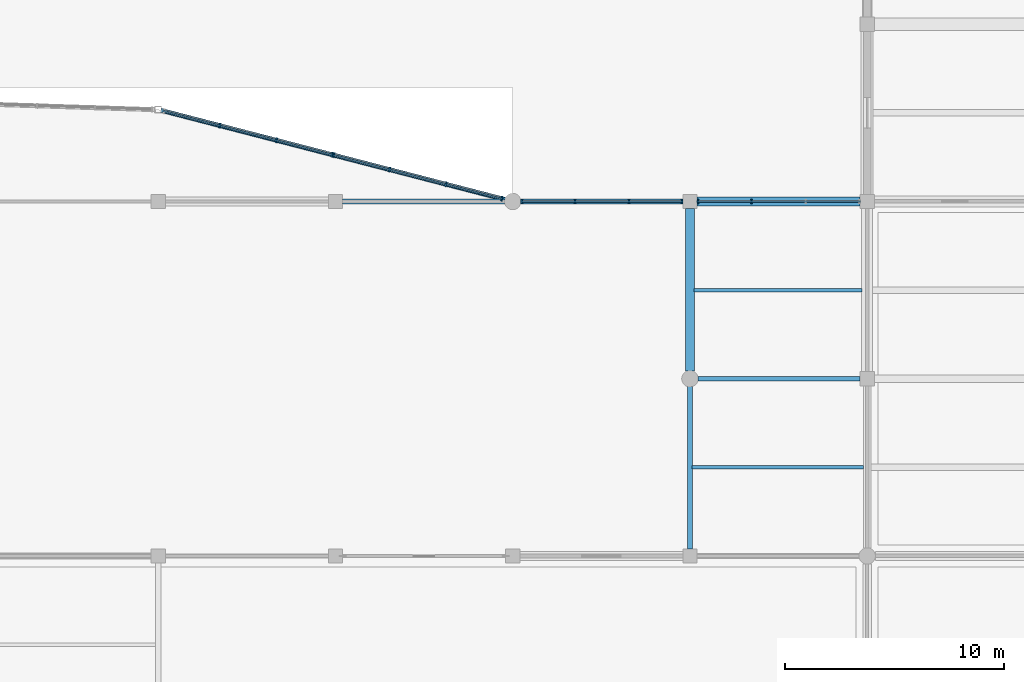
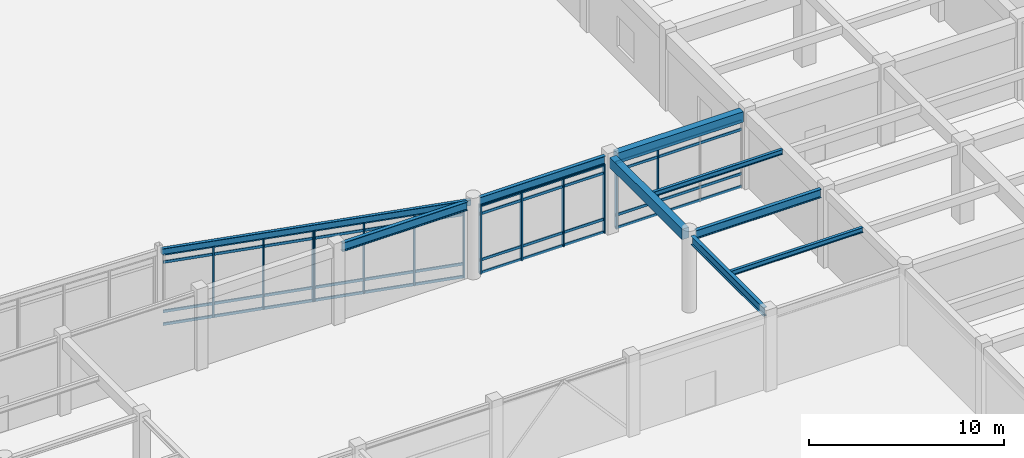
# One storey, part 30 of 99: 29 members, 9 beams, 4 elements without a shape of their own.
"""IFC4 building model written with IfcOpenShell, lengths in metres."""

from ifc_helpers import new_model, si_unit, direction, frame, origin, origin_2d, place, context, subcontext, project, spatial, rectangle, hollow_rectangle, i_section, extrude, material, layer, layer_set, material_profile, profile_set, type_object, element, aggregate, save


model = new_model("IFC4")

# Units and contexts
model_context = context("Model", 3, precision=1e-05, world=origin(), true_north=direction((0.0, 1.0)))
body_context = subcontext(model_context, "Body", "Model", "MODEL_VIEW")
ifc_project = project(units=[si_unit("LENGTHUNIT", "METRE"), si_unit("AREAUNIT", "SQUARE_METRE"), si_unit("VOLUMEUNIT", "CUBIC_METRE"), si_unit("PLANEANGLEUNIT", "RADIAN"), si_unit("MASSUNIT", "GRAM", prefix="KILO")], contexts=[model_context])

# Site, building, storey
site_placement = place(None, origin())
site = spatial("IfcSite", under=ifc_project, at=site_placement, CompositionType="ELEMENT")
building_placement = place(site_placement, origin())
building = spatial("IfcBuilding", under=site, at=building_placement, Name="Vaudrelin Polytechnic", CompositionType="ELEMENT")
storey_placement = place(building_placement, origin())
storey = spatial("IfcBuildingStorey", under=building, at=storey_placement, Name="L00", CompositionType="ELEMENT", Elevation=0.0)

# Beams
ifc_material_1 = material(Name="Steel CSA G40.21 350W", Category="steel")
ifc_material_profile_1 = material_profile(ifc_material_1, i_section(OverallWidth=0.208984375, OverallDepth=0.532958984375, WebThickness=0.01025390625, FlangeThickness=0.015625, FilletRadius=0.01904296875, at=origin_2d()), Name="W530x92")
ifc_profile_set_1 = profile_set([ifc_material_profile_1], Name="Steel CSA G40.21 350W")
beam_type_1 = type_object("IfcBeamType", Name="BM-BM-W530", PredefinedType="BEAM", material=ifc_profile_set_1)
for number, where, z_axis, x_axis, name in (
    (1, (113.77099609375, 48.60009765625, 4.553466796875), (1.0, 0.0, 0.0), (0.0, 1.0, 0.0), "L00 X-beam 15-7"),
    (2, (121.87109375, 40.5, 4.553466796875), (1.0, 0.0, 0.0), (0.0, 1.0, 0.0), "L00 X-beam 16-6"),
):
    element("IfcBeam", number, at=place(storey_placement, frame(where, z_axis=z_axis, x_axis=x_axis)), inside=storey, type_object=beam_type_1, Name=name, PredefinedType="BEAM", context=body_context, shape_type="SweptSolid", body=[
        extrude(i_section(OverallWidth=0.208984375, OverallDepth=0.532958984375, WebThickness=0.01025390625, FlangeThickness=0.015625, FilletRadius=0.01904296875, at=origin_2d()), origin(), (0.0, 0.0, 1.0), 7.407958984375),
    ])
ifc_material_profile_2 = material_profile(ifc_material_1, i_section(OverallWidth=0.214111328125, OverallDepth=0.549072265625, WebThickness=0.0146484375, FlangeThickness=0.023681640625, FilletRadius=0.01904296875, at=origin_2d()), Name="W530x138")
ifc_profile_set_2 = profile_set([ifc_material_profile_2], Name="Steel CSA G40.21 350W")
beam_type_2 = type_object("IfcBeamType", Name="BM-BM-W530H", PredefinedType="BEAM", material=ifc_profile_set_2)
beam_1_placement = place(storey_placement, frame((121.5, 32.7099609375, 4.54541015625), z_axis=(0.0, 1.0, 0.0), x_axis=(-1.0, 0.0, 0.0)))
element("IfcBeam", 3, at=beam_1_placement, inside=storey, type_object=beam_type_2, Name="L00 Y-beam 16-5", PredefinedType="BEAM", context=body_context, shape_type="SweptSolid", body=[
    extrude(i_section(OverallWidth=0.214111328125, OverallDepth=0.549072265625, WebThickness=0.0146484375, FlangeThickness=0.023681640625, FilletRadius=0.01904296875, at=origin_2d()), origin(), (0.0, 0.0, 1.0), 7.429931640625),
])
beam_2_placement = place(storey_placement, frame((105.62109375, 48.60009765625, 4.54541015625), z_axis=(1.0, 0.0, 0.0), x_axis=(0.0, 1.0, 0.0)))
element("IfcBeam", 4, at=beam_2_placement, inside=storey, type_object=beam_type_2, Name="L00 X-beam 14-7", PredefinedType="BEAM", context=body_context, shape_type="SweptSolid", body=[
    extrude(i_section(OverallWidth=0.214111328125, OverallDepth=0.549072265625, WebThickness=0.0146484375, FlangeThickness=0.023681640625, FilletRadius=0.01904296875, at=origin_2d()), origin(), (0.0, 0.0, 1.0), 7.407958984375),
])
ifc_material_profile_3 = material_profile(ifc_material_1, i_section(OverallWidth=0.1669921875, OverallDepth=0.31689453125, WebThickness=0.007568359375, FlangeThickness=0.01318359375, FilletRadius=0.013916015625, at=origin_2d()), Name="W310x52")
ifc_profile_set_3 = profile_set([ifc_material_profile_3], Name="Steel CSA G40.21 350W")
beam_type_3 = type_object("IfcBeamType", Name="BM-JS-W310", PredefinedType="JOIST", material=ifc_profile_set_3)
beam_3_placement = place(storey_placement, frame((121.60302734375, 36.449951171875, 4.66162109375), z_axis=(1.0, 0.0, 0.0), x_axis=(0.0, 1.0, 0.0)))
element("IfcBeam", 5, at=beam_3_placement, inside=storey, type_object=beam_type_3, Name="L00 floor joist 16-5", PredefinedType="JOIST", context=body_context, shape_type="SweptSolid", body=[
    extrude(i_section(OverallWidth=0.1669921875, OverallDepth=0.31689453125, WebThickness=0.007568359375, FlangeThickness=0.01318359375, FilletRadius=0.013916015625, at=origin_2d()), origin(), (0.0, 0.0, 1.0), 7.825927734375),
])
beam_4_placement = place(storey_placement, frame((121.696044921875, 44.550048828125, 4.66162109375), z_axis=(1.0, 0.0, 0.0), x_axis=(0.0, 1.0, 0.0)))
element("IfcBeam", 6, at=beam_4_placement, inside=storey, type_object=beam_type_3, Name="L00 floor joist 16-6", PredefinedType="JOIST", context=body_context, shape_type="SweptSolid", body=[
    extrude(i_section(OverallWidth=0.1669921875, OverallDepth=0.31689453125, WebThickness=0.007568359375, FlangeThickness=0.01318359375, FilletRadius=0.013916015625, at=origin_2d()), origin(), (0.0, 0.0, 1.0), 7.657958984375),
])
ifc_material_2 = material(Name="Steel CSA G40.21 350WT", Category="steel")
ifc_material_profile_4 = material_profile(ifc_material_2, hollow_rectangle(XDim=0.202880859375, YDim=0.35595703125, WallThickness=0.0126953125, InnerFilletRadius=0.0126953125, OuterFilletRadius=0.025390625, at=origin_2d()), Name="HSS356x203x12.7")
ifc_profile_set_4 = profile_set([ifc_material_profile_4], Name="Steel CSA G40.21 350WT")
beam_type_4 = type_object("IfcBeamType", Name="BM-SP-HSS35", PredefinedType="SPANDREL", material=ifc_profile_set_4)
beam_5_placement = place(storey_placement, frame((97.33544921875, 52.764892578125, 4.64208984375), z_axis=(0.96799462882, -0.250970911811, 0.0), x_axis=(0.250970911811, 0.96799462882, 0.0)))
element("IfcBeam", 7, at=beam_5_placement, inside=storey, type_object=beam_type_4, Name="Sculptural edge beam L00 CT_OR1_B3", PredefinedType="SPANDREL", context=body_context, shape_type="SweptSolid", body=[
    extrude(hollow_rectangle(XDim=0.202880859375, YDim=0.35595703125, WallThickness=0.0126953125, InnerFilletRadius=0.0126953125, OuterFilletRadius=0.025390625, at=origin_2d()), origin(), (0.0, 0.0, 1.0), 16.45556640625),
])
ifc_material_3 = material(Name="Concrete 40 MPa", Category="concrete")
ifc_material_profile_5 = material_profile(ifc_material_3, rectangle(XDim=0.39990234375, YDim=0.64990234375, at=origin_2d()), Name="RC400x650")
ifc_profile_set_5 = profile_set([ifc_material_profile_5], Name="Concrete 40 MPa")
beam_type_5 = type_object("IfcBeamType", Name="BM-SP-RC4065", PredefinedType="SPANDREL", material=ifc_profile_set_5)
beam_6_placement = place(storey_placement, frame((121.5, 40.860107421875, 4.4951171875), z_axis=(0.0, 1.0, 0.0), x_axis=(-1.0, 0.0, 0.0)))
element("IfcBeam", 8, at=beam_6_placement, inside=storey, type_object=beam_type_5, Name="L00 Y-beam 16-6", PredefinedType="SPANDREL", context=body_context, shape_type="SweptSolid", body=[
    extrude(rectangle(XDim=0.39990234375, YDim=0.64990234375, at=origin_2d()), origin(), (0.0, 0.0, 1.0), 7.429931640625),
])
beam_7_placement = place(storey_placement, frame((121.821044921875, 48.60009765625, 4.4951171875), z_axis=(1.0, 0.0, 0.0), x_axis=(0.0, 1.0, 0.0)))
element("IfcBeam", 9, at=beam_7_placement, inside=storey, type_object=beam_type_5, Name="L00 X-beam 16-7", PredefinedType="SPANDREL", context=body_context, shape_type="SweptSolid", body=[
    extrude(rectangle(XDim=0.39990234375, YDim=0.64990234375, at=origin_2d()), origin(), (0.0, 0.0, 1.0), 7.4580078125),
])

# Curtain wall, members
ifc_material_4 = material(Name="Thermally broken anodised aluminium AA 6063-T6 and low-e triple glazing", Category="aluminium")
ifc_layer = layer(ifc_material_4, 0.199951171875)
ifc_layer_set = layer_set([ifc_layer], Name="Thermally broken anodised aluminium AA 6063-T6 and low-e triple glazing")
curtain_wall_type = type_object("IfcCurtainWallType", Name="CW-CW-WG", PredefinedType="USERDEFINED", material=ifc_layer_set)
curtain_wall_1_placement = place(storey_placement, origin())
curtain_wall_1 = element("IfcCurtainWall", 10, at=curtain_wall_1_placement, inside=storey, type_object=curtain_wall_type, Name="Curtain wall L00 CT_S_09", ObjectType="CURTAIN WALL", PredefinedType="USERDEFINED")
ifc_material_5 = material(Name="Anodised aluminium AA 6063-T6", Category="aluminium")
ifc_material_profile_6 = material_profile(ifc_material_5, rectangle(XDim=0.074951171875, YDim=0.219970703125, at=origin_2d()), Name="CWM-75x220")
ifc_profile_set_6 = profile_set([ifc_material_profile_6], Name="Anodised aluminium AA 6063-T6")
member_type_1 = type_object("IfcMemberType", Name="MEM-CWM-220", PredefinedType="MULLION", material=ifc_profile_set_6)
member_1_placement = place(storey_placement, frame((113.81298828125, 48.60009765625, 0.0), z_axis=(0.0, 0.0, 1.0), x_axis=(1.0, 0.0, 0.0)))
member_1 = element("IfcMember", 11, at=member_1_placement, type_object=member_type_1, Name="CT_S_09 mullion 1", PredefinedType="MULLION", context=body_context, shape_type="SweptSolid", body=[
    extrude(rectangle(XDim=0.074951171875, YDim=0.219970703125, at=origin_2d()), origin(), (0.0, 0.0, 1.0), 4.2890625),
])
member_2_placement = place(storey_placement, frame((116.240966796875, 48.60009765625, 0.0), z_axis=(0.0, 0.0, 1.0), x_axis=(1.0, 0.0, 0.0)))
member_2 = element("IfcMember", 12, at=member_2_placement, type_object=member_type_1, Name="CT_S_09 mullion 2", PredefinedType="MULLION", context=body_context, shape_type="SweptSolid", body=[
    extrude(rectangle(XDim=0.074951171875, YDim=0.219970703125, at=origin_2d()), origin(), (0.0, 0.0, 1.0), 4.2890625),
])
member_3_placement = place(storey_placement, frame((118.708984375, 48.60009765625, 0.0), z_axis=(0.0, 0.0, 1.0), x_axis=(1.0, 0.0, 0.0)))
member_3 = element("IfcMember", 13, at=member_3_placement, type_object=member_type_1, Name="CT_S_09 mullion 3", PredefinedType="MULLION", context=body_context, shape_type="SweptSolid", body=[
    extrude(rectangle(XDim=0.074951171875, YDim=0.219970703125, at=origin_2d()), origin(), (0.0, 0.0, 1.0), 4.2890625),
])
member_4_placement = place(storey_placement, frame((121.136962890625, 48.60009765625, 0.0), z_axis=(0.0, 0.0, 1.0), x_axis=(1.0, 0.0, 0.0)))
member_4 = element("IfcMember", 14, at=member_4_placement, type_object=member_type_1, Name="CT_S_09 mullion 4", PredefinedType="MULLION", context=body_context, shape_type="SweptSolid", body=[
    extrude(rectangle(XDim=0.074951171875, YDim=0.219970703125, at=origin_2d()), origin(), (0.0, 0.0, 1.0), 4.2890625),
])

curtain_wall_2_placement = place(storey_placement, origin())
curtain_wall_2 = element("IfcCurtainWall", 15, at=curtain_wall_2_placement, inside=storey, type_object=curtain_wall_type, Name="Curtain wall L00 CT_S_10", ObjectType="CURTAIN WALL", PredefinedType="USERDEFINED")
member_5_placement = place(storey_placement, frame((121.863037109375, 48.60009765625, 0.0), z_axis=(0.0, 0.0, 1.0), x_axis=(1.0, 0.0, 0.0)))
member_5 = element("IfcMember", 16, at=member_5_placement, type_object=member_type_1, Name="CT_S_10 mullion 1", PredefinedType="MULLION", context=body_context, shape_type="SweptSolid", body=[
    extrude(rectangle(XDim=0.074951171875, YDim=0.219970703125, at=origin_2d()), origin(), (0.0, 0.0, 1.0), 4.172119140625),
])
member_6_placement = place(storey_placement, frame((124.3076171875, 48.60009765625, 0.0), z_axis=(0.0, 0.0, 1.0), x_axis=(1.0, 0.0, 0.0)))
member_6 = element("IfcMember", 17, at=member_6_placement, type_object=member_type_1, Name="CT_S_10 mullion 2", PredefinedType="MULLION", context=body_context, shape_type="SweptSolid", body=[
    extrude(rectangle(XDim=0.074951171875, YDim=0.219970703125, at=origin_2d()), origin(), (0.0, 0.0, 1.0), 4.172119140625),
])

curtain_wall_3_placement = place(storey_placement, origin())
curtain_wall_3 = element("IfcCurtainWall", 18, at=curtain_wall_3_placement, inside=storey, type_object=curtain_wall_type, Name="Curtain wall L00 CT_OR1_3_0", ObjectType="CURTAIN WALL", PredefinedType="USERDEFINED")
member_7_placement = place(storey_placement, frame((100.019287109375, 52.069091796875, 0.0), z_axis=(0.0, 0.0, 1.0), x_axis=(0.967999032288, -0.250953927026, 0.0)))
member_7 = element("IfcMember", 19, at=member_7_placement, type_object=member_type_1, Name="CT_OR1_3_0 mullion 2", PredefinedType="MULLION", context=body_context, shape_type="SweptSolid", body=[
    extrude(rectangle(XDim=0.074951171875, YDim=0.219970703125, at=origin_2d()), origin(), (0.0, 0.0, 1.0), 4.489990234375),
])
member_8_placement = place(storey_placement, frame((102.60400390625, 51.39892578125, 0.0), z_axis=(0.0, 0.0, 1.0), x_axis=(0.967999032288, -0.250953927026, 0.0)))
member_8 = element("IfcMember", 20, at=member_8_placement, type_object=member_type_1, Name="CT_OR1_3_0 mullion 3", PredefinedType="MULLION", context=body_context, shape_type="SweptSolid", body=[
    extrude(rectangle(XDim=0.074951171875, YDim=0.219970703125, at=origin_2d()), origin(), (0.0, 0.0, 1.0), 4.489990234375),
])
member_9_placement = place(storey_placement, frame((105.14990234375, 50.739013671875, 0.0), z_axis=(0.0, 0.0, 1.0), x_axis=(0.967999032288, -0.250953927026, 0.0)))
member_9 = element("IfcMember", 21, at=member_9_placement, type_object=member_type_1, Name="CT_OR1_3_0 mullion 4", PredefinedType="MULLION", context=body_context, shape_type="SweptSolid", body=[
    extrude(rectangle(XDim=0.074951171875, YDim=0.219970703125, at=origin_2d()), origin(), (0.0, 0.0, 1.0), 4.489990234375),
])

curtain_wall_4_placement = place(storey_placement, origin())
curtain_wall_4 = element("IfcCurtainWall", 22, at=curtain_wall_4_placement, inside=storey, type_object=curtain_wall_type, Name="Curtain wall L00 CT_OR1_3_1", ObjectType="CURTAIN WALL", PredefinedType="USERDEFINED")
member_10_placement = place(storey_placement, frame((105.227294921875, 50.718994140625, 0.0), z_axis=(0.0, 0.0, 1.0), x_axis=(0.967996785844, -0.250962592023, 0.0)))
member_10 = element("IfcMember", 23, at=member_10_placement, type_object=member_type_1, Name="CT_OR1_3_1 mullion 1", PredefinedType="MULLION", context=body_context, shape_type="SweptSolid", body=[
    extrude(rectangle(XDim=0.074951171875, YDim=0.219970703125, at=origin_2d()), origin(), (0.0, 0.0, 1.0), 4.489990234375),
])
member_11_placement = place(storey_placement, frame((107.7734375, 50.058837890625, 0.0), z_axis=(0.0, 0.0, 1.0), x_axis=(0.967996785844, -0.250962592023, 0.0)))
member_11 = element("IfcMember", 24, at=member_11_placement, type_object=member_type_1, Name="CT_OR1_3_1 mullion 2", PredefinedType="MULLION", context=body_context, shape_type="SweptSolid", body=[
    extrude(rectangle(XDim=0.074951171875, YDim=0.219970703125, at=origin_2d()), origin(), (0.0, 0.0, 1.0), 4.489990234375),
])
member_12_placement = place(storey_placement, frame((110.35791015625, 49.388671875, 0.0), z_axis=(0.0, 0.0, 1.0), x_axis=(0.967996785844, -0.250962592023, 0.0)))
member_12 = element("IfcMember", 25, at=member_12_placement, type_object=member_type_1, Name="CT_OR1_3_1 mullion 3", PredefinedType="MULLION", context=body_context, shape_type="SweptSolid", body=[
    extrude(rectangle(XDim=0.074951171875, YDim=0.219970703125, at=origin_2d()), origin(), (0.0, 0.0, 1.0), 4.489990234375),
])
member_13_placement = place(storey_placement, frame((112.904052734375, 48.728515625, 0.0), z_axis=(0.0, 0.0, 1.0), x_axis=(0.967996785844, -0.250962592023, 0.0)))
member_13 = element("IfcMember", 26, at=member_13_placement, type_object=member_type_1, Name="CT_OR1_3_1 mullion 4", PredefinedType="MULLION", context=body_context, shape_type="SweptSolid", body=[
    extrude(rectangle(XDim=0.074951171875, YDim=0.219970703125, at=origin_2d()), origin(), (0.0, 0.0, 1.0), 4.489990234375),
])

# Member
ifc_material_profile_7 = material_profile(ifc_material_5, rectangle(XDim=0.074951171875, YDim=0.1650390625, at=origin_2d()), Name="CWT-75x165")
ifc_profile_set_7 = profile_set([ifc_material_profile_7], Name="Anodised aluminium AA 6063-T6")
member_type_2 = type_object("IfcMemberType", Name="MEM-CWT-165", PredefinedType="USERDEFINED", material=ifc_profile_set_7)
member_14_placement = place(storey_placement, frame((113.77294921875, 48.60009765625, 0.050048828125), z_axis=(1.0, 0.0, 0.0), x_axis=(0.0, 1.0, 0.0)))
member_14 = element("IfcMember", 27, at=member_14_placement, type_object=member_type_2, Name="CT_S_09 transom 1", ObjectType="TRANSOM", PredefinedType="USERDEFINED", context=body_context, shape_type="SweptSolid", body=[
    extrude(rectangle(XDim=0.074951171875, YDim=0.1650390625, at=origin_2d()), origin(), (0.0, 0.0, 1.0), 7.404052734375),
])

member_15_placement = place(storey_placement, frame((113.77294921875, 48.60009765625, 0.85009765625), z_axis=(1.0, 0.0, 0.0), x_axis=(0.0, 1.0, 0.0)))
member_15 = element("IfcMember", 28, at=member_15_placement, type_object=member_type_2, Name="CT_S_09 transom 2", ObjectType="TRANSOM", PredefinedType="USERDEFINED", context=body_context, shape_type="SweptSolid", body=[
    extrude(rectangle(XDim=0.074951171875, YDim=0.1650390625, at=origin_2d()), origin(), (0.0, 0.0, 1.0), 7.404052734375),
])

member_16_placement = place(storey_placement, frame((113.77294921875, 48.60009765625, 3.739013671875), z_axis=(1.0, 0.0, 0.0), x_axis=(0.0, 1.0, 0.0)))
member_16 = element("IfcMember", 29, at=member_16_placement, type_object=member_type_2, Name="CT_S_09 transom 3", ObjectType="TRANSOM", PredefinedType="USERDEFINED", context=body_context, shape_type="SweptSolid", body=[
    extrude(rectangle(XDim=0.074951171875, YDim=0.1650390625, at=origin_2d()), origin(), (0.0, 0.0, 1.0), 7.404052734375),
])

member_17_placement = place(storey_placement, frame((113.77294921875, 48.60009765625, 4.239013671875), z_axis=(1.0, 0.0, 0.0), x_axis=(0.0, 1.0, 0.0)))
member_17 = element("IfcMember", 30, at=member_17_placement, type_object=member_type_2, Name="CT_S_09 transom 4", ObjectType="TRANSOM", PredefinedType="USERDEFINED", context=body_context, shape_type="SweptSolid", body=[
    extrude(rectangle(XDim=0.074951171875, YDim=0.1650390625, at=origin_2d()), origin(), (0.0, 0.0, 1.0), 7.404052734375),
])

aggregate(curtain_wall_1, [member_1, member_2, member_3, member_4, member_14, member_15, member_16, member_17])

member_18_placement = place(storey_placement, frame((121.822998046875, 48.60009765625, 0.050048828125), z_axis=(1.0, 0.0, 0.0), x_axis=(0.0, 1.0, 0.0)))
member_18 = element("IfcMember", 31, at=member_18_placement, type_object=member_type_2, Name="CT_S_10 transom 1", ObjectType="TRANSOM", PredefinedType="USERDEFINED", context=body_context, shape_type="SweptSolid", body=[
    extrude(rectangle(XDim=0.074951171875, YDim=0.1650390625, at=origin_2d()), origin(), (0.0, 0.0, 1.0), 7.4541015625),
])

member_19_placement = place(storey_placement, frame((121.822998046875, 48.60009765625, 0.85009765625), z_axis=(1.0, 0.0, 0.0), x_axis=(0.0, 1.0, 0.0)))
member_19 = element("IfcMember", 32, at=member_19_placement, type_object=member_type_2, Name="CT_S_10 transom 2", ObjectType="TRANSOM", PredefinedType="USERDEFINED", context=body_context, shape_type="SweptSolid", body=[
    extrude(rectangle(XDim=0.074951171875, YDim=0.1650390625, at=origin_2d()), origin(), (0.0, 0.0, 1.0), 7.4541015625),
])

member_20_placement = place(storey_placement, frame((121.822998046875, 48.60009765625, 3.6220703125), z_axis=(1.0, 0.0, 0.0), x_axis=(0.0, 1.0, 0.0)))
member_20 = element("IfcMember", 33, at=member_20_placement, type_object=member_type_2, Name="CT_S_10 transom 3", ObjectType="TRANSOM", PredefinedType="USERDEFINED", context=body_context, shape_type="SweptSolid", body=[
    extrude(rectangle(XDim=0.074951171875, YDim=0.1650390625, at=origin_2d()), origin(), (0.0, 0.0, 1.0), 7.4541015625),
])

member_21_placement = place(storey_placement, frame((121.822998046875, 48.60009765625, 4.1220703125), z_axis=(1.0, 0.0, 0.0), x_axis=(0.0, 1.0, 0.0)))
member_21 = element("IfcMember", 34, at=member_21_placement, type_object=member_type_2, Name="CT_S_10 transom 4", ObjectType="TRANSOM", PredefinedType="USERDEFINED", context=body_context, shape_type="SweptSolid", body=[
    extrude(rectangle(XDim=0.074951171875, YDim=0.1650390625, at=origin_2d()), origin(), (0.0, 0.0, 1.0), 7.4541015625),
])

aggregate(curtain_wall_2, [member_5, member_6, member_18, member_19, member_20, member_21])

member_22_placement = place(storey_placement, frame((97.434814453125, 52.739013671875, 0.050048828125), z_axis=(0.968004850359, -0.250931484037, 0.0), x_axis=(0.250931484037, 0.968004850359, 0.0)))
member_22 = element("IfcMember", 35, at=member_22_placement, type_object=member_type_2, Name="CT_OR1_3_0 transom 1", ObjectType="TRANSOM", PredefinedType="USERDEFINED", context=body_context, shape_type="SweptSolid", body=[
    extrude(rectangle(XDim=0.074951171875, YDim=0.1650390625, at=origin_2d()), origin(), (0.0, 0.0, 1.0), 8.01025390625),
])

member_23_placement = place(storey_placement, frame((97.434814453125, 52.739013671875, 0.85009765625), z_axis=(0.968004850359, -0.250931484037, 0.0), x_axis=(0.250931484037, 0.968004850359, 0.0)))
member_23 = element("IfcMember", 36, at=member_23_placement, type_object=member_type_2, Name="CT_OR1_3_0 transom 2", ObjectType="TRANSOM", PredefinedType="USERDEFINED", context=body_context, shape_type="SweptSolid", body=[
    extrude(rectangle(XDim=0.074951171875, YDim=0.1650390625, at=origin_2d()), origin(), (0.0, 0.0, 1.0), 8.01025390625),
])

member_24_placement = place(storey_placement, frame((97.434814453125, 52.739013671875, 3.93994140625), z_axis=(0.968004850359, -0.250931484037, 0.0), x_axis=(0.250931484037, 0.968004850359, 0.0)))
member_24 = element("IfcMember", 37, at=member_24_placement, type_object=member_type_2, Name="CT_OR1_3_0 transom 3", ObjectType="TRANSOM", PredefinedType="USERDEFINED", context=body_context, shape_type="SweptSolid", body=[
    extrude(rectangle(XDim=0.074951171875, YDim=0.1650390625, at=origin_2d()), origin(), (0.0, 0.0, 1.0), 8.01025390625),
])

member_25_placement = place(storey_placement, frame((97.434814453125, 52.739013671875, 4.43994140625), z_axis=(0.968004850359, -0.250931484037, 0.0), x_axis=(0.250931484037, 0.968004850359, 0.0)))
member_25 = element("IfcMember", 38, at=member_25_placement, type_object=member_type_2, Name="CT_OR1_3_0 transom 4", ObjectType="TRANSOM", PredefinedType="USERDEFINED", context=body_context, shape_type="SweptSolid", body=[
    extrude(rectangle(XDim=0.074951171875, YDim=0.1650390625, at=origin_2d()), origin(), (0.0, 0.0, 1.0), 8.01025390625),
])

aggregate(curtain_wall_3, [member_7, member_8, member_9, member_22, member_23, member_24, member_25])

member_26_placement = place(storey_placement, frame((105.188720703125, 50.72900390625, 0.050048828125), z_axis=(0.967990042151, -0.250988601924, 0.0), x_axis=(0.250988601924, 0.967990042151, 0.0)))
member_26 = element("IfcMember", 39, at=member_26_placement, type_object=member_type_2, Name="CT_OR1_3_1 transom 1", ObjectType="TRANSOM", PredefinedType="USERDEFINED", context=body_context, shape_type="SweptSolid", body=[
    extrude(rectangle(XDim=0.074951171875, YDim=0.1650390625, at=origin_2d()), origin(), (0.0, 0.0, 1.0), 8.01025390625),
])

member_27_placement = place(storey_placement, frame((105.188720703125, 50.72900390625, 0.85009765625), z_axis=(0.967990042151, -0.250988601924, 0.0), x_axis=(0.250988601924, 0.967990042151, 0.0)))
member_27 = element("IfcMember", 40, at=member_27_placement, type_object=member_type_2, Name="CT_OR1_3_1 transom 2", ObjectType="TRANSOM", PredefinedType="USERDEFINED", context=body_context, shape_type="SweptSolid", body=[
    extrude(rectangle(XDim=0.074951171875, YDim=0.1650390625, at=origin_2d()), origin(), (0.0, 0.0, 1.0), 8.01025390625),
])

member_28_placement = place(storey_placement, frame((105.188720703125, 50.72900390625, 3.93994140625), z_axis=(0.967990042151, -0.250988601924, 0.0), x_axis=(0.250988601924, 0.967990042151, 0.0)))
member_28 = element("IfcMember", 41, at=member_28_placement, type_object=member_type_2, Name="CT_OR1_3_1 transom 3", ObjectType="TRANSOM", PredefinedType="USERDEFINED", context=body_context, shape_type="SweptSolid", body=[
    extrude(rectangle(XDim=0.074951171875, YDim=0.1650390625, at=origin_2d()), origin(), (0.0, 0.0, 1.0), 8.01025390625),
])

member_29_placement = place(storey_placement, frame((105.188720703125, 50.72900390625, 4.43994140625), z_axis=(0.967990042151, -0.250988601924, 0.0), x_axis=(0.250988601924, 0.967990042151, 0.0)))
member_29 = element("IfcMember", 42, at=member_29_placement, type_object=member_type_2, Name="CT_OR1_3_1 transom 4", ObjectType="TRANSOM", PredefinedType="USERDEFINED", context=body_context, shape_type="SweptSolid", body=[
    extrude(rectangle(XDim=0.074951171875, YDim=0.1650390625, at=origin_2d()), origin(), (0.0, 0.0, 1.0), 8.01025390625),
])

aggregate(curtain_wall_4, [member_10, member_11, member_12, member_13, member_26, member_27, member_28, member_29])

save(model, "model.ifc")
